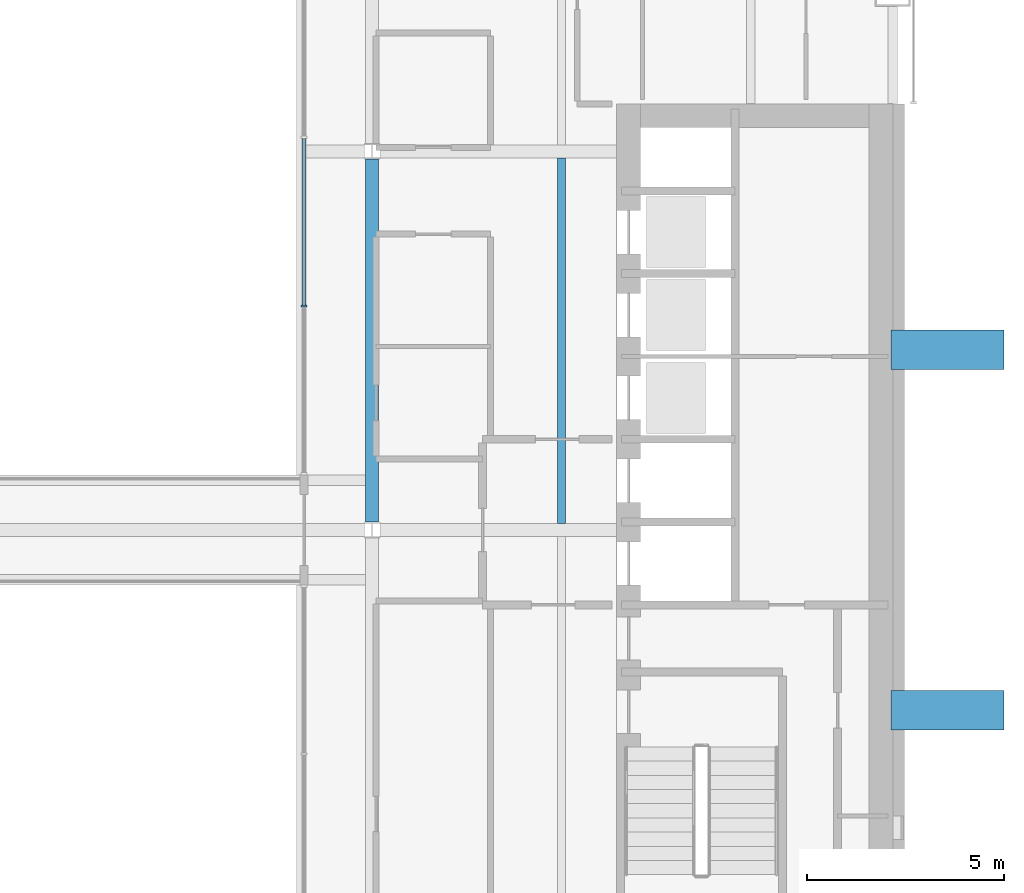
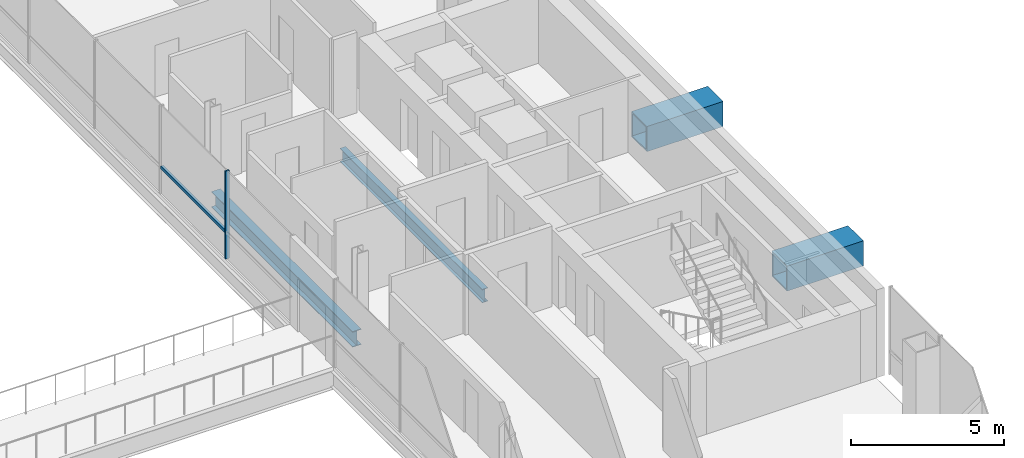
# One storey, part 6 of 17: 4 beams, 2 members, 1 element without a shape of its own.
"""IFC4 building model written with IfcOpenShell, lengths in metres."""

import ifcopenshell
import ifcopenshell.guid

model = None  # the IFC model being written
_history = None  # IfcOwnerHistory: only IFC2X3 demands one
_inside = {}  # id of a spatial element -> (the spatial element, [elements in it])
_under = {}  # id of a project, library or spatial element -> (it, [spatial elements below it])
_declared = {}  # id of a project -> (the project, [libraries it declares])
_typed = {}  # id of a type object -> (the type object, [elements of that type])
_made_of = {}  # id of a material, layer set ... -> (it, [elements and type objects made of it])


def new_model(schema):
    """Start an empty IFC model of exactly this schema.

    Asked for "IFC4X3", IfcOpenShell would pick the latest addendum, in which some entities
    have other attributes; the version numbers below select the first issue.
    IFC2X3 requires an IfcOwnerHistory on every rooted entity: one is made here for all.
    """
    global model, _history
    if schema == "IFC4X3":
        model = ifcopenshell.file(schema_version=(4, 3, 0, 0))
    else:
        model = ifcopenshell.file(schema=schema)
    _inside.clear()
    _under.clear()
    _declared.clear()
    _typed.clear()
    _made_of.clear()
    _history = None
    if model.schema == "IFC2X3":
        org = make("IfcOrganization", Name="unknown")
        user = make(
            "IfcPersonAndOrganization",
            ThePerson=make("IfcPerson", FamilyName="unknown"),
            TheOrganization=org,
        )
        app = make(
            "IfcApplication",
            ApplicationDeveloper=org,
            Version="unknown",
            ApplicationFullName="unknown",
            ApplicationIdentifier="unknown",
        )
        _history = make(
            "IfcOwnerHistory",
            OwningUser=user,
            OwningApplication=app,
            ChangeAction="ADDED",
            CreationDate=0,
        )
    return model


def make(cls, **values):
    """One entity of the class cls with the attributes given. An attribute that is None is left unset."""
    return model.create_entity(
        cls, **{name: value for name, value in values.items() if value is not None}
    )


def rooted(cls, **values):
    """An entity with a GlobalId (a new one), such as an element, a storey or a relation."""
    return make(cls, GlobalId=ifcopenshell.guid.new(), OwnerHistory=_history, **values)


def si_unit(unit_type, name, prefix=None):
    """IfcSIUnit, for example si_unit("LENGTHUNIT", "METRE", prefix="MILLI")."""
    return make("IfcSIUnit", UnitType=unit_type, Prefix=prefix, Name=name)


def assignment(units):
    """IfcUnitAssignment: the units of a project."""
    return None if units is None else make("IfcUnitAssignment", Units=units)


def point(xyz):
    """IfcCartesianPoint."""
    return None if xyz is None else make("IfcCartesianPoint", Coordinates=xyz)


def direction(xyz):
    """IfcDirection."""
    return None if xyz is None else make("IfcDirection", DirectionRatios=xyz)


def frame(location, z_axis=None, x_axis=None):
    """IfcAxis2Placement3D, a coordinate frame: its origin and axes. An axis left out is left unset."""
    return make(
        "IfcAxis2Placement3D",
        Location=point(location),
        Axis=direction(z_axis),
        RefDirection=direction(x_axis),
    )


def frame_2d(location, x_axis=None):
    """IfcAxis2Placement2D, a coordinate frame in the plane: its origin and x axis."""
    return make(
        "IfcAxis2Placement2D", Location=point(location), RefDirection=direction(x_axis)
    )


def origin():
    """The frame at (0, 0, 0) with its axes left unset."""
    return frame((0.0, 0.0, 0.0))


def origin_2d():
    """The frame at (0, 0) in the plane with its x axis left unset."""
    return frame_2d((0.0, 0.0))


def place(relative_to, where):
    """IfcLocalPlacement: puts the frame where relative to a parent placement (None: the world)."""
    return make(
        "IfcLocalPlacement", PlacementRelTo=relative_to, RelativePlacement=where
    )


def context(
    kind, dimensions, precision=None, world=None, true_north=None, identifier=None
):
    """IfcGeometricRepresentationContext, for example the 3D "Model" context."""
    return make(
        "IfcGeometricRepresentationContext",
        ContextIdentifier=identifier,
        ContextType=kind,
        CoordinateSpaceDimension=dimensions,
        Precision=precision,
        WorldCoordinateSystem=world,
        TrueNorth=true_north,
    )


def subcontext(parent, identifier, kind, view, scale=None):
    """IfcGeometricRepresentationSubContext, for example "Body" below "Model"."""
    return make(
        "IfcGeometricRepresentationSubContext",
        ContextIdentifier=identifier,
        ContextType=kind,
        ParentContext=parent,
        TargetScale=scale,
        TargetView=view,
    )


def project(units=None, contexts=None):
    """IfcProject with its units and contexts."""
    return rooted(
        "IfcProject",
        Name="project",
        RepresentationContexts=contexts,
        UnitsInContext=assignment(units),
    )


def spatial(cls, under=None, at=None, **own):
    """A site, building, storey or space (cls), placed at a placement, below another one or the project."""
    s = rooted(cls, ObjectPlacement=at, **own)
    if under is not None:
        _under.setdefault(under.id(), (under, []))[1].append(s)
    return s


def profile(cls, at=None, kind="AREA", **sizes):
    """A parametric profile (cls). Its sizes go by their IFC names, for example OverallWidth=200.0."""
    return make(cls, ProfileType=kind, Position=at, **sizes)


def rectangle(**sizes):
    """IfcRectangleProfileDef."""
    return profile("IfcRectangleProfileDef", **sizes)


def hollow_rectangle(**sizes):
    """IfcRectangleHollowProfileDef."""
    return profile("IfcRectangleHollowProfileDef", **sizes)


def i_section(**sizes):
    """IfcIShapeProfileDef."""
    return profile("IfcIShapeProfileDef", **sizes)


def extrude(swept, where, along, depth):
    """IfcExtrudedAreaSolid: the profile swept, set in the frame where, extruded along a direction by depth."""
    return make(
        "IfcExtrudedAreaSolid",
        SweptArea=swept,
        Position=where,
        ExtrudedDirection=direction(along),
        Depth=depth,
    )


def shape(context_of_items, identifier, shape_type, items):
    """IfcShapeRepresentation: the items that make up one representation, for example the "Body"."""
    return make(
        "IfcShapeRepresentation",
        ContextOfItems=context_of_items,
        RepresentationIdentifier=identifier,
        RepresentationType=shape_type,
        Items=items,
    )


def material(Name=None, Category=None):
    """IfcMaterial."""
    return make("IfcMaterial", Name=Name, Category=Category)


def material_profile(
    of_material, cross_section, Name=None, Category=None, Priority=None
):
    """IfcMaterialProfile: a cross section and its material."""
    return make(
        "IfcMaterialProfile",
        Name=Name,
        Material=of_material,
        Profile=cross_section,
        Priority=Priority,
        Category=Category,
    )


def profile_set(profiles, Name=None, composite=None):
    """IfcMaterialProfileSet."""
    return make(
        "IfcMaterialProfileSet",
        Name=Name,
        MaterialProfiles=profiles,
        CompositeProfile=composite,
    )


def made_of(thing, what):
    """Note that an element or type object is made of a material, layer set ...; save() writes the relation."""
    if what is not None:
        _made_of.setdefault(what.id(), (what, []))[1].append(thing)
    return thing


def type_object(cls, material=None, **own):
    """A type object (cls), such as IfcWallType, which elements share."""
    return made_of(rooted(cls, **own), material)


def element(
    cls,
    number,
    at=None,
    inside=None,
    cuts=None,
    type_object=None,
    material=None,
    context=None,
    identifier="Body",
    shape_type=None,
    held_by="IfcProductDefinitionShape",
    body=None,
    shapes=None,
    **own,
):
    """One element of the class cls, such as IfcWall. Its Tag is "e" and its number.

    at: its placement. inside: the storey or other place that contains it. cuts: it is an
    opening in that element (IfcRelVoidsElement). A single representation is given by context,
    identifier, shape_type and body (its items); several are given by shapes. held_by: the class
    of the entity that holds the representations. save() writes the other relations.
    """
    e = rooted(cls, Tag="e%d" % number, ObjectPlacement=at, **own)
    if body is not None:
        shapes = [shape(context, identifier, shape_type, body)]
    if shapes is not None:
        e.Representation = make(held_by, Representations=shapes)
    if inside is not None:
        _inside.setdefault(inside.id(), (inside, []))[1].append(e)
    if cuts is not None:
        rooted(
            "IfcRelVoidsElement", RelatingBuildingElement=cuts, RelatedOpeningElement=e
        )
    if type_object is not None:
        _typed.setdefault(type_object.id(), (type_object, []))[1].append(e)
    return made_of(e, material)


def aggregate(whole, parts):
    """IfcRelAggregates: a whole, such as a stair, and the parts it consists of."""
    return rooted("IfcRelAggregates", RelatingObject=whole, RelatedObjects=parts)


def save(model, path):
    """Write the relations noted so far, then the file.

    IfcRelAggregates (storeys below a building ...), IfcRelContainedInSpatialStructure (elements
    in a storey), IfcRelDefinesByType, IfcRelAssociatesMaterial and IfcRelDeclares: one each for
    every whole, place, type object, material and project.
    """
    for whole, parts in _under.values():
        aggregate(whole, parts)
    for where, things in _inside.values():
        rooted(
            "IfcRelContainedInSpatialStructure",
            RelatedElements=things,
            RelatingStructure=where,
        )
    for kind, things in _typed.values():
        rooted("IfcRelDefinesByType", RelatedObjects=things, RelatingType=kind)
    for what, things in _made_of.values():
        rooted("IfcRelAssociatesMaterial", RelatedObjects=things, RelatingMaterial=what)
    for by, libraries in _declared.values():
        rooted("IfcRelDeclares", RelatingContext=by, RelatedDefinitions=libraries)
    model.write(path)


model = new_model("IFC4")

# Units and contexts
model_context = context("Model", 3, precision=1e-05, world=origin(), true_north=direction((0.0, 1.0)))
body_context = subcontext(model_context, "Body", "Model", "MODEL_VIEW")
ifc_project = project(units=[si_unit("LENGTHUNIT", "METRE"), si_unit("AREAUNIT", "SQUARE_METRE"), si_unit("VOLUMEUNIT", "CUBIC_METRE"), si_unit("PLANEANGLEUNIT", "RADIAN"), si_unit("MASSUNIT", "GRAM", prefix="KILO")], contexts=[model_context])

# Site, building, storey
site_placement = place(None, origin())
site = spatial("IfcSite", under=ifc_project, at=site_placement, CompositionType="ELEMENT")
building_placement = place(site_placement, origin())
building = spatial("IfcBuilding", under=site, at=building_placement, Name="Cobrizo Arcos Hotel Tower", CompositionType="ELEMENT")
storey_placement = place(building_placement, frame((0.0, 0.0, 134.5)))
storey = spatial("IfcBuildingStorey", under=building, at=storey_placement, Name="L34", CompositionType="ELEMENT", Elevation=134.5)

# Beams
ifc_material_1 = material(Name="Steel ASTM A572 Grade 50", Category="steel")
ifc_material_profile_1 = material_profile(ifc_material_1, hollow_rectangle(XDim=1.0, YDim=1.0, WallThickness=0.06005859375, at=origin_2d()), Name="BOX 1000X1000X60")
ifc_profile_set_1 = profile_set([ifc_material_profile_1], Name="Steel ASTM A572 Grade 50")
beam_type_1 = type_object("IfcBeamType", Name="BOX 1000X1000X60 brace connector strut", PredefinedType="BEAM", material=ifc_profile_set_1)
for number, where, z_axis, x_axis, name in (
    (1, (22.75, 4.574951171875, 0.5), (1.0, 0.0, 0.0), (0.0, 1.0, 0.0), "Perimeter brace stub BS1, zone Z2, east face, offset +4.58 m, L34"),
    (2, (22.75, -4.574951171875, 0.5), (1.0, 0.0, 0.0), (0.0, 1.0, 0.0), "Perimeter brace stub BS1, zone Z2, east face, offset -4.58 m, L34"),
):
    element("IfcBeam", number, at=place(storey_placement, frame(where, z_axis=z_axis, x_axis=x_axis)), inside=storey, type_object=beam_type_1, Name=name, PredefinedType="BEAM", context=body_context, shape_type="SweptSolid", body=[
        extrude(hollow_rectangle(XDim=1.0, YDim=1.0, WallThickness=0.06005859375, at=origin_2d()), origin(), (0.0, 0.0, 1.0), 2.8701171875),
    ])

# Curtain wall, members
ifc_material_2 = material(Name="Aluminium 6063-T6 anodised bronze", Category="aluminium")
curtain_wall_type = type_object("IfcCurtainWallType", Name="CW-F void screen", PredefinedType="NOTDEFINED", material=ifc_material_2)
curtain_wall_placement = place(storey_placement, origin())
curtain_wall = element("IfcCurtainWall", 3, at=curtain_wall_placement, inside=storey, type_object=curtain_wall_type, Name="CW-F L34 void screen B", PredefinedType="NOTDEFINED")
ifc_material_profile_2 = material_profile(ifc_material_2, rectangle(XDim=0.14990234375, YDim=0.06005859375, at=origin_2d()), Name="CW-F mullion 150x60")
ifc_profile_set_2 = profile_set([ifc_material_profile_2], Name="Aluminium 6063-T6 anodised bronze")
member_type_1 = type_object("IfcMemberType", Name="CW-F mullion 150x60", PredefinedType="MULLION", material=ifc_profile_set_2)
member_1_placement = place(storey_placement, frame((7.875, 5.679931640625, 0.0), z_axis=(0.0, 0.0, 1.0), x_axis=(1.0, 0.0, 0.0)))
member_1 = element("IfcMember", 4, at=member_1_placement, type_object=member_type_1, Name="CW-F mullion 2", PredefinedType="MULLION", context=body_context, shape_type="SweptSolid", body=[
    extrude(rectangle(XDim=0.14990234375, YDim=0.06005859375, at=origin_2d()), origin(), (0.0, 0.0, 1.0), 3.5),
])
ifc_material_profile_3 = material_profile(ifc_material_2, rectangle(XDim=0.10009765625, YDim=0.1201171875, at=origin_2d()), Name="CW-F transom 120x100")
ifc_profile_set_3 = profile_set([ifc_material_profile_3], Name="Aluminium 6063-T6 anodised bronze")
member_type_2 = type_object("IfcMemberType", Name="CW-F transom 120x100", PredefinedType="USERDEFINED", material=ifc_profile_set_3)
member_2_placement = place(storey_placement, frame((7.875, 5.7099609375, 1.050048828125), z_axis=(0.0, 1.0, 0.0), x_axis=(-1.0, 0.0, 0.0)))
member_2 = element("IfcMember", 5, at=member_2_placement, type_object=member_type_2, Name="CW-F transom 2672", ObjectType="TRANSOM", PredefinedType="USERDEFINED", context=body_context, shape_type="SweptSolid", body=[
    extrude(rectangle(XDim=0.10009765625, YDim=0.1201171875, at=origin_2d()), origin(), (0.0, 0.0, 1.0), 4.219970703125),
])
aggregate(curtain_wall, [member_1, member_2])

# Beams
ifc_material_3 = material(Name="Steel ASTM A992 Grade 50", Category="steel")
ifc_material_profile_4 = material_profile(ifc_material_3, i_section(OverallWidth=0.209228515625, OverallDepth=0.533447265625, WebThickness=0.01025390625, FlangeThickness=0.015625, at=origin_2d()), Name="W21X62")
ifc_profile_set_4 = profile_set([ifc_material_profile_4], Name="Steel ASTM A992 Grade 50")
beam_type_2 = type_object("IfcBeamType", Name="W21X62 joist", PredefinedType="JOIST", material=ifc_profile_set_4)
beam_1_placement = place(storey_placement, frame((14.39990234375, 0.163818359375, -0.416748046875), z_axis=(0.0, 1.0, 0.0), x_axis=(-1.0, 0.0, 0.0)))
element("IfcBeam", 6, at=beam_1_placement, inside=storey, type_object=beam_type_2, Name="Floor joist J1, L34, no. 009", PredefinedType="JOIST", context=body_context, shape_type="SweptSolid", body=[
    extrude(i_section(OverallWidth=0.209228515625, OverallDepth=0.533447265625, WebThickness=0.01025390625, FlangeThickness=0.015625, at=origin_2d()), origin(), (0.0, 0.0, 1.0), 9.272216796875),
])
ifc_material_profile_5 = material_profile(ifc_material_3, i_section(OverallWidth=0.32763671875, OverallDepth=0.622314453125, WebThickness=0.015380859375, FlangeThickness=0.0244140625, at=origin_2d()), Name="W24X131")
ifc_profile_set_5 = profile_set([ifc_material_profile_5], Name="Steel ASTM A992 Grade 50")
beam_type_3 = type_object("IfcBeamType", Name="W24X131 girder", PredefinedType="BEAM", material=ifc_profile_set_5)
beam_2_placement = place(storey_placement, frame((9.60009765625, 0.199462890625, -0.461181640625), z_axis=(0.0, 1.0, 0.0), x_axis=(-1.0, 0.0, 0.0)))
element("IfcBeam", 7, at=beam_2_placement, inside=storey, type_object=beam_type_3, Name="Floor girder G1, L34, no. 018", PredefinedType="BEAM", context=body_context, shape_type="SweptSolid", body=[
    extrude(i_section(OverallWidth=0.32763671875, OverallDepth=0.622314453125, WebThickness=0.015380859375, FlangeThickness=0.0244140625, at=origin_2d()), origin(), (0.0, 0.0, 1.0), 9.201171875),
])

save(model, "model.ifc")
